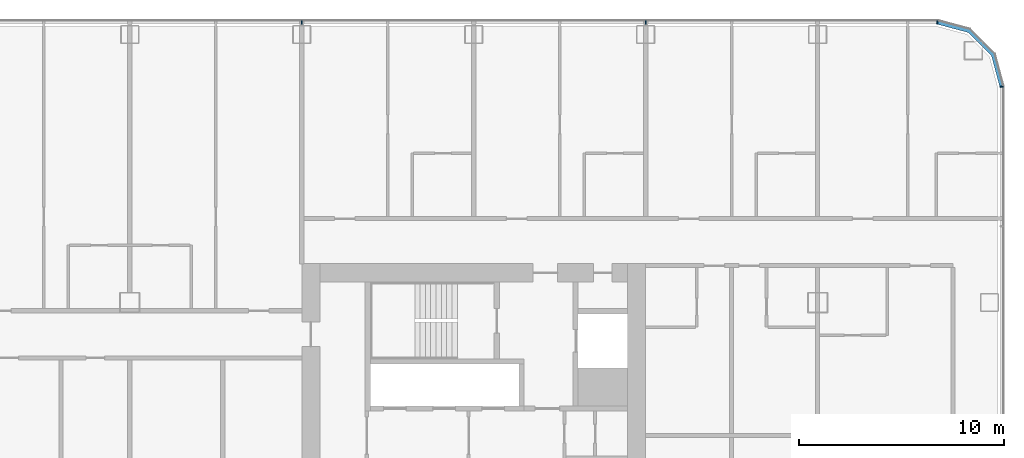
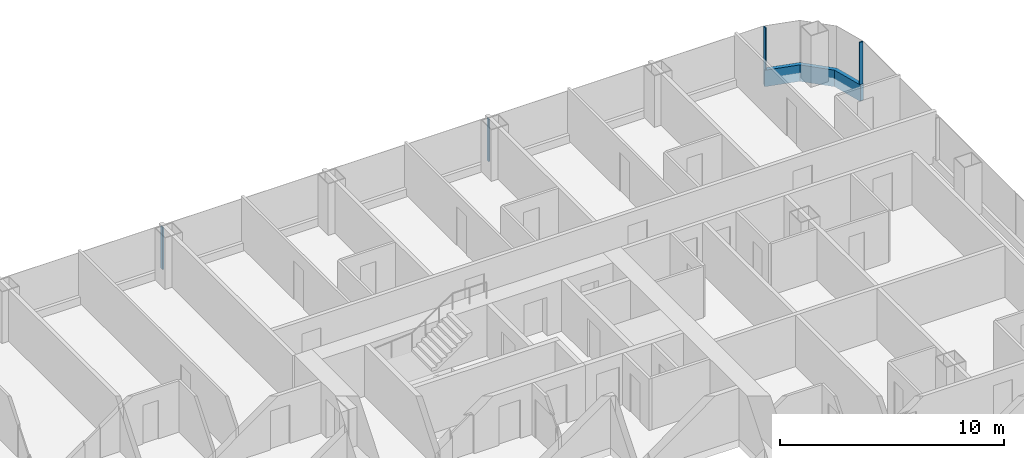
# One storey, part 11 of 28: 5 members, 3 elements without a shape of their own.
"""IFC4 building model written with IfcOpenShell, lengths in metres."""

from ifc_helpers import new_model, si_unit, direction, frame, origin, origin_2d, place, context, subcontext, project, spatial, polyline, rectangle, outline, extrude, material, layer, layer_set, material_profile, profile_set, type_object, element, aggregate, save


model = new_model("IFC4")

# Units and contexts
model_context = context("Model", 3, precision=1e-05, world=origin(), true_north=direction((0.0, 1.0)))
body_context = subcontext(model_context, "Body", "Model", "MODEL_VIEW")
ifc_project = project(units=[si_unit("LENGTHUNIT", "METRE"), si_unit("AREAUNIT", "SQUARE_METRE"), si_unit("VOLUMEUNIT", "CUBIC_METRE"), si_unit("PLANEANGLEUNIT", "RADIAN"), si_unit("MASSUNIT", "GRAM", prefix="KILO")], contexts=[model_context])

# Site, building, storey
site_placement = place(None, origin())
site = spatial("IfcSite", under=ifc_project, at=site_placement, CompositionType="ELEMENT")
building_placement = place(site_placement, origin())
building = spatial("IfcBuilding", under=site, at=building_placement, Name="Hakoniwa Tower and Hamabe Station Hall", CompositionType="ELEMENT")
storey_placement = place(building_placement, frame((0.0, 0.0, 32.60009765625)))
storey = spatial("IfcBuildingStorey", under=building, at=storey_placement, Name="L08", CompositionType="ELEMENT", Elevation=32.60009765625)

# Curtain wall, member
ifc_material_1 = material(Name="Dark low-e laminated glass", Category="glass")
ifc_layer = layer(ifc_material_1, 0.199951171875)
ifc_layer_set = layer_set([ifc_layer], Name="CW-1 UNITISED GUEST")
curtain_wall_type = type_object("IfcCurtainWallType", Name="CW-1 UNITISED GUEST", PredefinedType="NOTDEFINED", material=ifc_layer_set)
curtain_wall_1_placement = place(storey_placement, origin())
curtain_wall_1 = element("IfcCurtainWall", 1, at=curtain_wall_1_placement, inside=storey, type_object=curtain_wall_type, Name="CW-1 curtain wall", PredefinedType="NOTDEFINED")
ifc_material_2 = material(Name="Aluminium 6063-T5 black anodised", Category="aluminium")
ifc_material_profile_1 = material_profile(ifc_material_2, rectangle(XDim=0.199951171875, YDim=0.89990234375, at=origin_2d()), Name="CW SLAB-EDGE BAND 900X200")
ifc_profile_set_1 = profile_set([ifc_material_profile_1], Name="Aluminium 6063-T5 black anodised")
member_type_1 = type_object("IfcMemberType", Name="CW SLAB-EDGE BAND 900X200", PredefinedType="USERDEFINED", material=ifc_profile_set_1)
member_1_placement = place(storey_placement, frame((0.0, 0.0, -0.550048828125)))
member_1 = element("IfcMember", 2, at=member_1_placement, type_object=member_type_1, Name="CW-1 transom", ObjectType="TRANSOM", PredefinedType="USERDEFINED", context=body_context, shape_type="SweptSolid", body=[
    extrude(outline(polyline([(51.10009765625, 17.03955078125), (50.6669921875, 18.6552734375), (49.455322265625, 19.866943359375), (47.839599609375, 20.300048828125), (47.787841796875, 20.10693359375), (49.351806640625, 19.687744140625), (50.48779296875, 18.5517578125), (50.90673828125, 16.98779296875), (51.10009765625, 17.03955078125)])), origin(), (0.0, 0.0, 1.0), 0.89990234375),
])
aggregate(curtain_wall_1, [member_1])

curtain_wall_2_placement = place(storey_placement, origin())
curtain_wall_2 = element("IfcCurtainWall", 3, at=curtain_wall_2_placement, inside=storey, type_object=curtain_wall_type, Name="CW-1 curtain wall", PredefinedType="NOTDEFINED")
ifc_material_3 = material(Name="Aluminium 6063-T5 black anodised", Category="aluminium")
ifc_material_profile_2 = material_profile(ifc_material_3, rectangle(XDim=0.06005859375, YDim=0.179931640625, at=origin_2d()), Name="CW-1 MULLION 60X180")
ifc_profile_set_2 = profile_set([ifc_material_profile_2], Name="Aluminium 6063-T5 black anodised")
member_type_2 = type_object("IfcMemberType", Name="CW-1 MULLION 60X180", PredefinedType="MULLION", material=ifc_profile_set_2)
member_2_placement = place(storey_placement, frame((50.98193359375, 17.03955078125, 0.349853515625), z_axis=(0.0, 0.0, 1.0), x_axis=(0.0, 1.0, 0.0)))
member_2 = element("IfcMember", 4, at=member_2_placement, type_object=member_type_2, Name="CW-1 mullion", PredefinedType="MULLION", context=body_context, shape_type="SweptSolid", body=[
    extrude(rectangle(XDim=0.06005859375, YDim=0.179931640625, at=origin_2d()), origin(), (0.0, 0.0, 1.0), 2.300048828125),
])
aggregate(curtain_wall_2, [member_2])

# Curtain wall, members
curtain_wall_3_placement = place(storey_placement, origin())
curtain_wall_3 = element("IfcCurtainWall", 5, at=curtain_wall_3_placement, inside=storey, type_object=curtain_wall_type, Name="CW-1 curtain wall", PredefinedType="NOTDEFINED")
member_3_placement = place(storey_placement, frame((47.839599609375, 20.181884765625, 0.349853515625), z_axis=(0.0, 0.0, 1.0), x_axis=(-1.0, 0.0, 0.0)))
member_3 = element("IfcMember", 6, at=member_3_placement, type_object=member_type_2, Name="CW-1 mullion", PredefinedType="MULLION", context=body_context, shape_type="SweptSolid", body=[
    extrude(rectangle(XDim=0.06005859375, YDim=0.179931640625, at=origin_2d()), origin(), (0.0, 0.0, 1.0), 2.300048828125),
])
member_4_placement = place(storey_placement, frame((33.60009765625, 20.181884765625, 0.349853515625), z_axis=(0.0, 0.0, 1.0), x_axis=(-1.0, 0.0, 0.0)))
member_4 = element("IfcMember", 7, at=member_4_placement, type_object=member_type_2, Name="CW-1 mullion", PredefinedType="MULLION", context=body_context, shape_type="SweptSolid", body=[
    extrude(rectangle(XDim=0.06005859375, YDim=0.179931640625, at=origin_2d()), origin(), (0.0, 0.0, 1.0), 2.300048828125),
])
member_5_placement = place(storey_placement, frame((16.800048828125, 20.181884765625, 0.349853515625), z_axis=(0.0, 0.0, 1.0), x_axis=(-1.0, 0.0, 0.0)))
member_5 = element("IfcMember", 8, at=member_5_placement, type_object=member_type_2, Name="CW-1 mullion", PredefinedType="MULLION", context=body_context, shape_type="SweptSolid", body=[
    extrude(rectangle(XDim=0.06005859375, YDim=0.179931640625, at=origin_2d()), origin(), (0.0, 0.0, 1.0), 2.300048828125),
])
aggregate(curtain_wall_3, [member_3, member_4, member_5])

save(model, "model.ifc")
